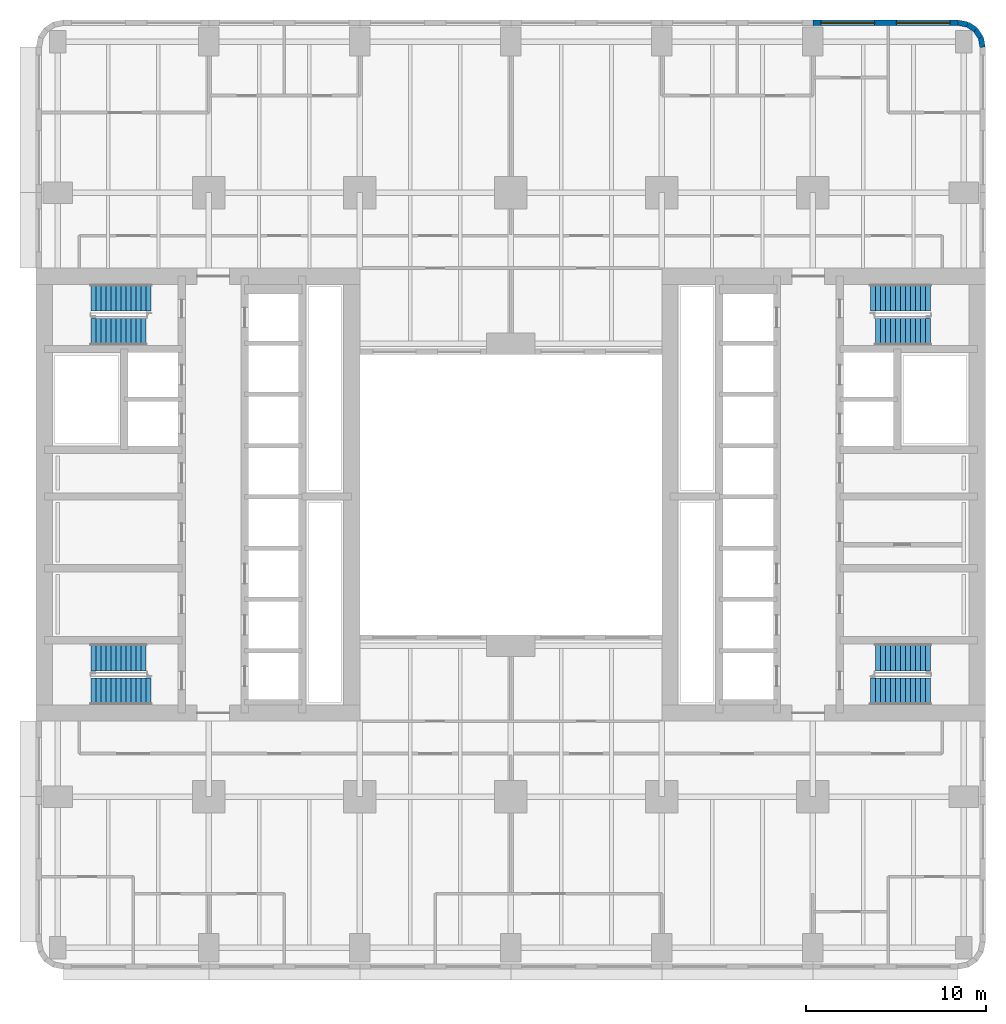
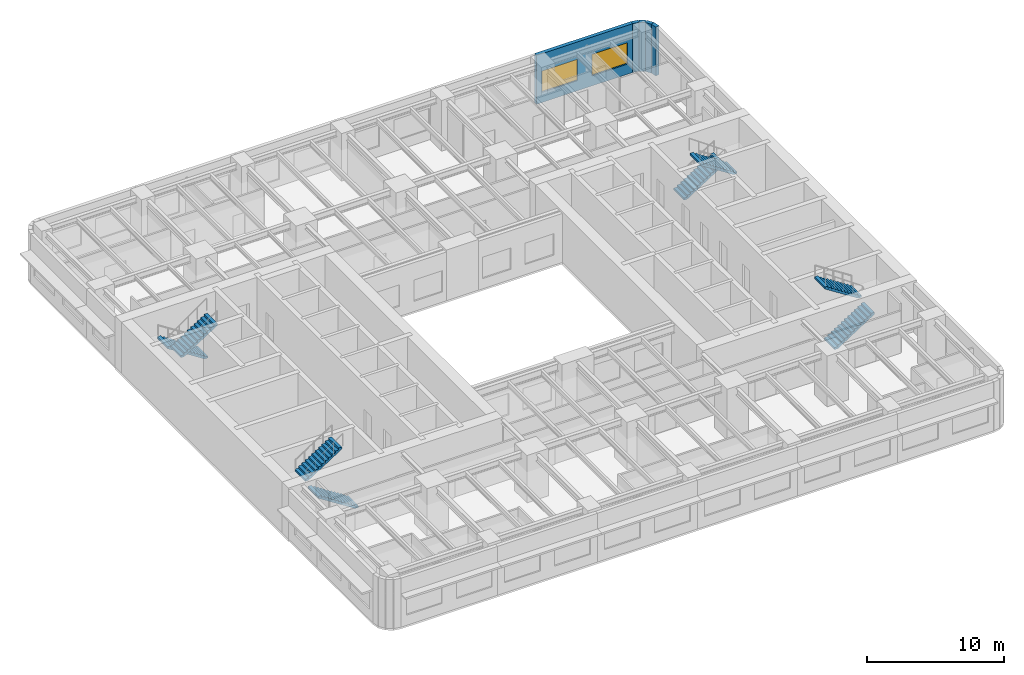
# One storey, part 8 of 12: 8 stair flights, 5 walls, 2 windows, 2 openings, 4 elements without a shape of their own.
"""IFC4 building model written with IfcOpenShell, lengths in metres."""

from ifc_helpers import new_model, si_unit, direction, frame, frame_2d, origin, place, context, subcontext, project, spatial, polyline, rectangle, outline, extrude, material, layer, layer_set, type_object, element, fill, aggregate, save


model = new_model("IFC4")

# Units and contexts
model_context = context("Model", 3, precision=1e-05, world=origin(), true_north=direction((0.0, 1.0)))
body_context = subcontext(model_context, "Body", "Model", "MODEL_VIEW")
ifc_project = project(units=[si_unit("LENGTHUNIT", "METRE"), si_unit("AREAUNIT", "SQUARE_METRE"), si_unit("VOLUMEUNIT", "CUBIC_METRE"), si_unit("PLANEANGLEUNIT", "RADIAN"), si_unit("MASSUNIT", "GRAM", prefix="KILO")], contexts=[model_context])

# Site, building, storey
site_placement = place(None, origin())
site = spatial("IfcSite", under=ifc_project, at=site_placement, CompositionType="ELEMENT")
building_placement = place(site_placement, origin())
building = spatial("IfcBuilding", under=site, at=building_placement, Name="Claustro Exchange Tower", CompositionType="ELEMENT")
storey_placement = place(building_placement, frame((0.0, 0.0, 45.89990234375)))
storey = spatial("IfcBuildingStorey", under=building, at=storey_placement, Name="L10", CompositionType="ELEMENT", Elevation=45.89990234375)

# Wall, openings, windows
ifc_material_1 = material(Name="Concrete HA-40 (C40/50), precast, white cement, acid-etched", Category="concrete")
ifc_layer = layer(ifc_material_1, 0.300048828125)
ifc_layer_set = layer_set([ifc_layer], Name="Concrete HA-40 (C40/50), precast, white cement, acid-etched")
wall_type = type_object("IfcWallType", Name="PC1 300 precast concrete pier panel", PredefinedType="SOLIDWALL", material=ifc_layer_set)
wall_1_placement = place(storey_placement, frame((42.0, 51.449951171875, 0.0), z_axis=(0.0, 0.0, 1.0), x_axis=(1.0, 0.0, 0.0)))
wall_1 = element("IfcWall", 1, at=wall_1_placement, inside=storey, type_object=wall_type, Name="Precast pier panel PC1 L10", PredefinedType="SOLIDWALL", context=body_context, shape_type="SweptSolid", body=[
    extrude(rectangle(XDim=8.085205078125, YDim=0.300048828125, at=frame_2d((4.04248046875, 0.0))), origin(), (0.0, 0.0, 1.0), 4.340087890625),
])
opening_1_placement = place(wall_1_placement, frame((0.442626953125, 0.0, 0.89990234375)))
opening_1 = element("IfcOpeningElement", 2, at=opening_1_placement, cuts=wall_1, Name="Opening W1", PredefinedType="OPENING", context=body_context, shape_type="SweptSolid", body=[
    extrude(rectangle(XDim=3.0, YDim=1.89990234375, at=frame_2d((1.5, 0.949951171875))), frame((0.0, 0.159912109375, 0.0), z_axis=(0.0, -1.0, 0.0), x_axis=(1.0, 0.0, 0.0)), (0.0, 0.0, 1.0), 0.320068359375),
])
opening_2_placement = place(wall_1_placement, frame((4.642578125, 0.0, 0.89990234375)))
opening_2 = element("IfcOpeningElement", 3, at=opening_2_placement, cuts=wall_1, Name="Opening W1", PredefinedType="OPENING", context=body_context, shape_type="SweptSolid", body=[
    extrude(rectangle(XDim=3.0, YDim=1.89990234375, at=frame_2d((1.5, 0.949951171875))), frame((0.0, 0.159912109375, 0.0), z_axis=(0.0, -1.0, 0.0), x_axis=(1.0, 0.0, 0.0)), (0.0, 0.0, 1.0), 0.320068359375),
])
ifc_material_2 = material(Name="Aluminium frame, clear double glazing", Category="aluminium")
window_type = type_object("IfcWindowType", Name="W1 3000 x 1900 window", PartitioningType="SINGLE_PANEL", PredefinedType="WINDOW", material=ifc_material_2)
window_1_placement = place(opening_1_placement, origin())
window_1 = element("IfcWindow", 4, at=window_1_placement, inside=storey, type_object=window_type, Name="Window W1 L10", OverallHeight=1.89990234375, OverallWidth=3.0, PartitioningType="SINGLE_PANEL", PredefinedType="WINDOW", context=body_context, shape_type="SweptSolid", body=[
    extrude(rectangle(XDim=3.0, YDim=1.89990234375, at=frame_2d((1.5, 0.949951171875))), frame((0.0, 0.030029296875, 0.0), z_axis=(0.0, -1.0, 0.0), x_axis=(1.0, 0.0, 0.0)), (0.0, 0.0, 1.0), 0.06005859375),
])
fill(opening_1, window_1)
window_2_placement = place(opening_2_placement, origin())
window_2 = element("IfcWindow", 5, at=window_2_placement, inside=storey, type_object=window_type, Name="Window W1 L10", OverallHeight=1.89990234375, OverallWidth=3.0, PartitioningType="SINGLE_PANEL", PredefinedType="WINDOW", context=body_context, shape_type="SweptSolid", body=[
    extrude(rectangle(XDim=3.0, YDim=1.89990234375, at=frame_2d((1.5, 0.949951171875))), frame((0.0, 0.030029296875, 0.0), z_axis=(0.0, -1.0, 0.0), x_axis=(1.0, 0.0, 0.0)), (0.0, 0.0, 1.0), 0.06005859375),
])
fill(opening_2, window_2)

# Walls
wall_2_placement = place(storey_placement, frame((50.085205078125, 51.449951171875, 0.0), z_axis=(0.0, 0.0, 1.0), x_axis=(0.980788534345, -0.195073962632, 0.0)))
element("IfcWall", 6, at=wall_2_placement, inside=storey, type_object=wall_type, Name="Precast pier panel PC1 L10", PredefinedType="SOLIDWALL", context=body_context, shape_type="SweptSolid", body=[
    extrude(rectangle(XDim=0.540771484375, YDim=0.300048828125, at=frame_2d((0.2705078125, 0.0))), origin(), (0.0, 0.0, 1.0), 4.340087890625),
])
for number, where, z_axis, x_axis, name in (
    (7, (50.615478515625, 51.344482421875, 0.0), (0.0, 0.0, 1.0), (0.831478144188, -0.555557463938, 0.0), "Precast pier panel PC1 L10"),
    (8, (51.052490234375, 51.052490234375, 0.0), (0.0, 0.0, 1.0), (0.555557463938, -0.831478144188, 0.0), "Precast pier panel PC1 L10"),
):
    element("IfcWall", number, at=place(storey_placement, frame(where, z_axis=z_axis, x_axis=x_axis)), inside=storey, type_object=wall_type, Name=name, PredefinedType="SOLIDWALL", context=body_context, shape_type="SweptSolid", body=[
        extrude(rectangle(XDim=0.525634765625, YDim=0.300048828125, at=frame_2d((0.2626953125, 0.0))), origin(), (0.0, 0.0, 1.0), 4.340087890625),
    ])
wall_3_placement = place(storey_placement, frame((51.344482421875, 50.615478515625, 0.0), z_axis=(0.0, 0.0, 1.0), x_axis=(0.195073962632, -0.980788534345, 0.0)))
element("IfcWall", 9, at=wall_3_placement, inside=storey, type_object=wall_type, Name="Precast pier panel PC1 L10", PredefinedType="SOLIDWALL", context=body_context, shape_type="SweptSolid", body=[
    extrude(rectangle(XDim=0.540771484375, YDim=0.300048828125, at=frame_2d((0.2705078125, 0.0))), origin(), (0.0, 0.0, 1.0), 4.340087890625),
])

# Stair, stair flight
ifc_material_3 = material(Name="Concrete HA-30 (C30/37), precast", Category="concrete")
stair_type = type_object("IfcStairType", Name="ST2 half-turn stair, 25 risers of 180", PredefinedType="HALF_TURN_STAIR", material=ifc_material_3)
stair_1_placement = place(storey_placement, origin())
stair_1 = element("IfcStair", 10, at=stair_1_placement, inside=storey, type_object=stair_type, Name="Stair STWA L10", PredefinedType="HALF_TURN_STAIR")
ifc_material_4 = material(Name="Concrete HA-30 (C30/37), precast", Category="concrete")
stair_flight_type_1 = type_object("IfcStairFlightType", Name="SF12B straight flight, 12 risers of 180, 1500 wide", PredefinedType="STRAIGHT", material=ifc_material_4)
stair_flight_1_placement = place(storey_placement, frame((1.840087890625, 16.14990234375, 2.340087890625), z_axis=(0.0, 0.0, 1.0), x_axis=(1.0, 0.0, 0.0)))
stair_flight_1 = element("IfcStairFlight", 11, at=stair_flight_1_placement, type_object=stair_flight_type_1, Name="STWA flight 2", NumberOfRisers=12, NumberOfTreads=11, PredefinedType="STRAIGHT", RiserHeight=0.18, TreadLength=0.28, context=body_context, shape_type="SweptSolid", body=[
    extrude(outline(polyline([(0.0, 0.0), (0.0, 0.179931640625), (0.280029296875, 0.179931640625), (0.280029296875, 0.360107421875), (0.56005859375, 0.360107421875), (0.56005859375, 0.5400390625), (0.840087890625, 0.5400390625), (0.840087890625, 0.719970703125), (1.1201171875, 0.719970703125), (1.1201171875, 0.89990234375), (1.39990234375, 0.89990234375), (1.39990234375, 1.080078125), (1.679931640625, 1.080078125), (1.679931640625, 1.260009765625), (1.9599609375, 1.260009765625), (1.9599609375, 1.43994140625), (2.239990234375, 1.43994140625), (2.239990234375, 1.6201171875), (2.52001953125, 1.6201171875), (2.52001953125, 1.800048828125), (2.800048828125, 1.800048828125), (2.800048828125, 1.97998046875), (3.080078125, 1.97998046875), (3.080078125, 2.159912109375), (3.080078125, 1.8017578125), (0.277099609375, 0.0), (0.0, 0.0)])), frame((0.0, 0.75, 0.0), z_axis=(0.0, -1.0, 0.0), x_axis=(1.0, 0.0, 0.0)), (0.0, 0.0, 1.0), 1.5),
])

stair_2_placement = place(storey_placement, origin())
stair_2 = element("IfcStair", 12, at=stair_2_placement, inside=storey, type_object=stair_type, Name="Stair STWB L10", PredefinedType="HALF_TURN_STAIR")
stair_flight_2_placement = place(storey_placement, frame((1.840087890625, 34.25, 2.340087890625), z_axis=(0.0, 0.0, 1.0), x_axis=(1.0, 0.0, 0.0)))
stair_flight_2 = element("IfcStairFlight", 13, at=stair_flight_2_placement, type_object=stair_flight_type_1, Name="STWB flight 2", NumberOfRisers=12, NumberOfTreads=11, PredefinedType="STRAIGHT", RiserHeight=0.18, TreadLength=0.28, context=body_context, shape_type="SweptSolid", body=[
    extrude(outline(polyline([(0.0, 0.0), (0.0, 0.179931640625), (0.280029296875, 0.179931640625), (0.280029296875, 0.360107421875), (0.56005859375, 0.360107421875), (0.56005859375, 0.5400390625), (0.840087890625, 0.5400390625), (0.840087890625, 0.719970703125), (1.1201171875, 0.719970703125), (1.1201171875, 0.89990234375), (1.39990234375, 0.89990234375), (1.39990234375, 1.080078125), (1.679931640625, 1.080078125), (1.679931640625, 1.260009765625), (1.9599609375, 1.260009765625), (1.9599609375, 1.43994140625), (2.239990234375, 1.43994140625), (2.239990234375, 1.6201171875), (2.52001953125, 1.6201171875), (2.52001953125, 1.800048828125), (2.800048828125, 1.800048828125), (2.800048828125, 1.97998046875), (3.080078125, 1.97998046875), (3.080078125, 2.159912109375), (3.080078125, 1.8017578125), (0.277099609375, 0.0), (0.0, 0.0)])), frame((0.0, 0.75, 0.0), z_axis=(0.0, -1.0, 0.0), x_axis=(1.0, 0.0, 0.0)), (0.0, 0.0, 1.0), 1.5),
])

stair_3_placement = place(storey_placement, origin())
stair_3 = element("IfcStair", 14, at=stair_3_placement, inside=storey, type_object=stair_type, Name="Stair STEA L10", PredefinedType="HALF_TURN_STAIR")
stair_flight_3_placement = place(storey_placement, frame((48.56005859375, 16.14990234375, 2.340087890625), z_axis=(0.0, 0.0, 1.0), x_axis=(-1.0, 0.0, 0.0)))
stair_flight_3 = element("IfcStairFlight", 15, at=stair_flight_3_placement, type_object=stair_flight_type_1, Name="STEA flight 2", NumberOfRisers=12, NumberOfTreads=11, PredefinedType="STRAIGHT", RiserHeight=0.18, TreadLength=0.28, context=body_context, shape_type="SweptSolid", body=[
    extrude(outline(polyline([(0.0, 0.0), (0.0, 0.179931640625), (0.280029296875, 0.179931640625), (0.280029296875, 0.360107421875), (0.56005859375, 0.360107421875), (0.56005859375, 0.5400390625), (0.840087890625, 0.5400390625), (0.840087890625, 0.719970703125), (1.1201171875, 0.719970703125), (1.1201171875, 0.89990234375), (1.39990234375, 0.89990234375), (1.39990234375, 1.080078125), (1.679931640625, 1.080078125), (1.679931640625, 1.260009765625), (1.9599609375, 1.260009765625), (1.9599609375, 1.43994140625), (2.239990234375, 1.43994140625), (2.239990234375, 1.6201171875), (2.52001953125, 1.6201171875), (2.52001953125, 1.800048828125), (2.800048828125, 1.800048828125), (2.800048828125, 1.97998046875), (3.080078125, 1.97998046875), (3.080078125, 2.159912109375), (3.080078125, 1.8017578125), (0.277099609375, 0.0), (0.0, 0.0)])), frame((0.0, 0.75, 0.0), z_axis=(0.0, -1.0, 0.0), x_axis=(1.0, 0.0, 0.0)), (0.0, 0.0, 1.0), 1.5),
])

stair_4_placement = place(storey_placement, origin())
stair_4 = element("IfcStair", 16, at=stair_4_placement, inside=storey, type_object=stair_type, Name="Stair STEB L10", PredefinedType="HALF_TURN_STAIR")
stair_flight_4_placement = place(storey_placement, frame((48.56005859375, 34.25, 2.340087890625), z_axis=(0.0, 0.0, 1.0), x_axis=(-1.0, 0.0, 0.0)))
stair_flight_4 = element("IfcStairFlight", 17, at=stair_flight_4_placement, type_object=stair_flight_type_1, Name="STEB flight 2", NumberOfRisers=12, NumberOfTreads=11, PredefinedType="STRAIGHT", RiserHeight=0.18, TreadLength=0.28, context=body_context, shape_type="SweptSolid", body=[
    extrude(outline(polyline([(0.0, 0.0), (0.0, 0.179931640625), (0.280029296875, 0.179931640625), (0.280029296875, 0.360107421875), (0.56005859375, 0.360107421875), (0.56005859375, 0.5400390625), (0.840087890625, 0.5400390625), (0.840087890625, 0.719970703125), (1.1201171875, 0.719970703125), (1.1201171875, 0.89990234375), (1.39990234375, 0.89990234375), (1.39990234375, 1.080078125), (1.679931640625, 1.080078125), (1.679931640625, 1.260009765625), (1.9599609375, 1.260009765625), (1.9599609375, 1.43994140625), (2.239990234375, 1.43994140625), (2.239990234375, 1.6201171875), (2.52001953125, 1.6201171875), (2.52001953125, 1.800048828125), (2.800048828125, 1.800048828125), (2.800048828125, 1.97998046875), (3.080078125, 1.97998046875), (3.080078125, 2.159912109375), (3.080078125, 1.8017578125), (0.277099609375, 0.0), (0.0, 0.0)])), frame((0.0, 0.75, 0.0), z_axis=(0.0, -1.0, 0.0), x_axis=(1.0, 0.0, 0.0)), (0.0, 0.0, 1.0), 1.5),
])

# Stair flight
ifc_material_5 = material(Name="Concrete HA-30 (C30/37), precast", Category="concrete")
stair_flight_type_2 = type_object("IfcStairFlightType", Name="SF13 straight flight, 13 risers of 180, 1500 wide", PredefinedType="STRAIGHT", material=ifc_material_5)
stair_flight_5_placement = place(storey_placement, frame((5.199951171875, 14.25, 0.0), z_axis=(0.0, 0.0, 1.0), x_axis=(-1.0, 0.0, 0.0)))
stair_flight_5 = element("IfcStairFlight", 18, at=stair_flight_5_placement, type_object=stair_flight_type_2, Name="STWA flight 1", NumberOfRisers=13, NumberOfTreads=12, PredefinedType="STRAIGHT", RiserHeight=0.18, TreadLength=0.28, context=body_context, shape_type="SweptSolid", body=[
    extrude(outline(polyline([(0.0, 0.0), (0.0, 0.179931640625), (0.280029296875, 0.179931640625), (0.280029296875, 0.360107421875), (0.56005859375, 0.360107421875), (0.56005859375, 0.5400390625), (0.840087890625, 0.5400390625), (0.840087890625, 0.719970703125), (1.1201171875, 0.719970703125), (1.1201171875, 0.89990234375), (1.39990234375, 0.89990234375), (1.39990234375, 1.080078125), (1.679931640625, 1.080078125), (1.679931640625, 1.260009765625), (1.9599609375, 1.260009765625), (1.9599609375, 1.43994140625), (2.239990234375, 1.43994140625), (2.239990234375, 1.6201171875), (2.52001953125, 1.6201171875), (2.52001953125, 1.800048828125), (2.800048828125, 1.800048828125), (2.800048828125, 1.97998046875), (3.080078125, 1.97998046875), (3.080078125, 2.159912109375), (3.360107421875, 2.159912109375), (3.360107421875, 2.340087890625), (3.360107421875, 1.981689453125), (0.277099609375, 0.0), (0.0, 0.0)])), frame((0.0, 0.75, 0.0), z_axis=(0.0, -1.0, 0.0), x_axis=(1.0, 0.0, 0.0)), (0.0, 0.0, 1.0), 1.5),
])

aggregate(stair_1, [stair_flight_5, stair_flight_1])

stair_flight_6_placement = place(storey_placement, frame((5.199951171875, 36.14990234375, 0.0), z_axis=(0.0, 0.0, 1.0), x_axis=(-1.0, 0.0, 0.0)))
stair_flight_6 = element("IfcStairFlight", 19, at=stair_flight_6_placement, type_object=stair_flight_type_2, Name="STWB flight 1", NumberOfRisers=13, NumberOfTreads=12, PredefinedType="STRAIGHT", RiserHeight=0.18, TreadLength=0.28, context=body_context, shape_type="SweptSolid", body=[
    extrude(outline(polyline([(0.0, 0.0), (0.0, 0.179931640625), (0.280029296875, 0.179931640625), (0.280029296875, 0.360107421875), (0.56005859375, 0.360107421875), (0.56005859375, 0.5400390625), (0.840087890625, 0.5400390625), (0.840087890625, 0.719970703125), (1.1201171875, 0.719970703125), (1.1201171875, 0.89990234375), (1.39990234375, 0.89990234375), (1.39990234375, 1.080078125), (1.679931640625, 1.080078125), (1.679931640625, 1.260009765625), (1.9599609375, 1.260009765625), (1.9599609375, 1.43994140625), (2.239990234375, 1.43994140625), (2.239990234375, 1.6201171875), (2.52001953125, 1.6201171875), (2.52001953125, 1.800048828125), (2.800048828125, 1.800048828125), (2.800048828125, 1.97998046875), (3.080078125, 1.97998046875), (3.080078125, 2.159912109375), (3.360107421875, 2.159912109375), (3.360107421875, 2.340087890625), (3.360107421875, 1.981689453125), (0.277099609375, 0.0), (0.0, 0.0)])), frame((0.0, 0.75, 0.0), z_axis=(0.0, -1.0, 0.0), x_axis=(1.0, 0.0, 0.0)), (0.0, 0.0, 1.0), 1.5),
])

aggregate(stair_2, [stair_flight_6, stair_flight_2])

stair_flight_7_placement = place(storey_placement, frame((45.199951171875, 14.25, 0.0), z_axis=(0.0, 0.0, 1.0), x_axis=(1.0, 0.0, 0.0)))
stair_flight_7 = element("IfcStairFlight", 20, at=stair_flight_7_placement, type_object=stair_flight_type_2, Name="STEA flight 1", NumberOfRisers=13, NumberOfTreads=12, PredefinedType="STRAIGHT", RiserHeight=0.18, TreadLength=0.28, context=body_context, shape_type="SweptSolid", body=[
    extrude(outline(polyline([(0.0, 0.0), (0.0, 0.179931640625), (0.280029296875, 0.179931640625), (0.280029296875, 0.360107421875), (0.56005859375, 0.360107421875), (0.56005859375, 0.5400390625), (0.840087890625, 0.5400390625), (0.840087890625, 0.719970703125), (1.1201171875, 0.719970703125), (1.1201171875, 0.89990234375), (1.39990234375, 0.89990234375), (1.39990234375, 1.080078125), (1.679931640625, 1.080078125), (1.679931640625, 1.260009765625), (1.9599609375, 1.260009765625), (1.9599609375, 1.43994140625), (2.239990234375, 1.43994140625), (2.239990234375, 1.6201171875), (2.52001953125, 1.6201171875), (2.52001953125, 1.800048828125), (2.800048828125, 1.800048828125), (2.800048828125, 1.97998046875), (3.080078125, 1.97998046875), (3.080078125, 2.159912109375), (3.360107421875, 2.159912109375), (3.360107421875, 2.340087890625), (3.360107421875, 1.981689453125), (0.277099609375, 0.0), (0.0, 0.0)])), frame((0.0, 0.75, 0.0), z_axis=(0.0, -1.0, 0.0), x_axis=(1.0, 0.0, 0.0)), (0.0, 0.0, 1.0), 1.5),
])

aggregate(stair_3, [stair_flight_7, stair_flight_3])

stair_flight_8_placement = place(storey_placement, frame((45.199951171875, 36.14990234375, 0.0), z_axis=(0.0, 0.0, 1.0), x_axis=(1.0, 0.0, 0.0)))
stair_flight_8 = element("IfcStairFlight", 21, at=stair_flight_8_placement, type_object=stair_flight_type_2, Name="STEB flight 1", NumberOfRisers=13, NumberOfTreads=12, PredefinedType="STRAIGHT", RiserHeight=0.18, TreadLength=0.28, context=body_context, shape_type="SweptSolid", body=[
    extrude(outline(polyline([(0.0, 0.0), (0.0, 0.179931640625), (0.280029296875, 0.179931640625), (0.280029296875, 0.360107421875), (0.56005859375, 0.360107421875), (0.56005859375, 0.5400390625), (0.840087890625, 0.5400390625), (0.840087890625, 0.719970703125), (1.1201171875, 0.719970703125), (1.1201171875, 0.89990234375), (1.39990234375, 0.89990234375), (1.39990234375, 1.080078125), (1.679931640625, 1.080078125), (1.679931640625, 1.260009765625), (1.9599609375, 1.260009765625), (1.9599609375, 1.43994140625), (2.239990234375, 1.43994140625), (2.239990234375, 1.6201171875), (2.52001953125, 1.6201171875), (2.52001953125, 1.800048828125), (2.800048828125, 1.800048828125), (2.800048828125, 1.97998046875), (3.080078125, 1.97998046875), (3.080078125, 2.159912109375), (3.360107421875, 2.159912109375), (3.360107421875, 2.340087890625), (3.360107421875, 1.981689453125), (0.277099609375, 0.0), (0.0, 0.0)])), frame((0.0, 0.75, 0.0), z_axis=(0.0, -1.0, 0.0), x_axis=(1.0, 0.0, 0.0)), (0.0, 0.0, 1.0), 1.5),
])

aggregate(stair_4, [stair_flight_8, stair_flight_4])

save(model, "model.ifc")
